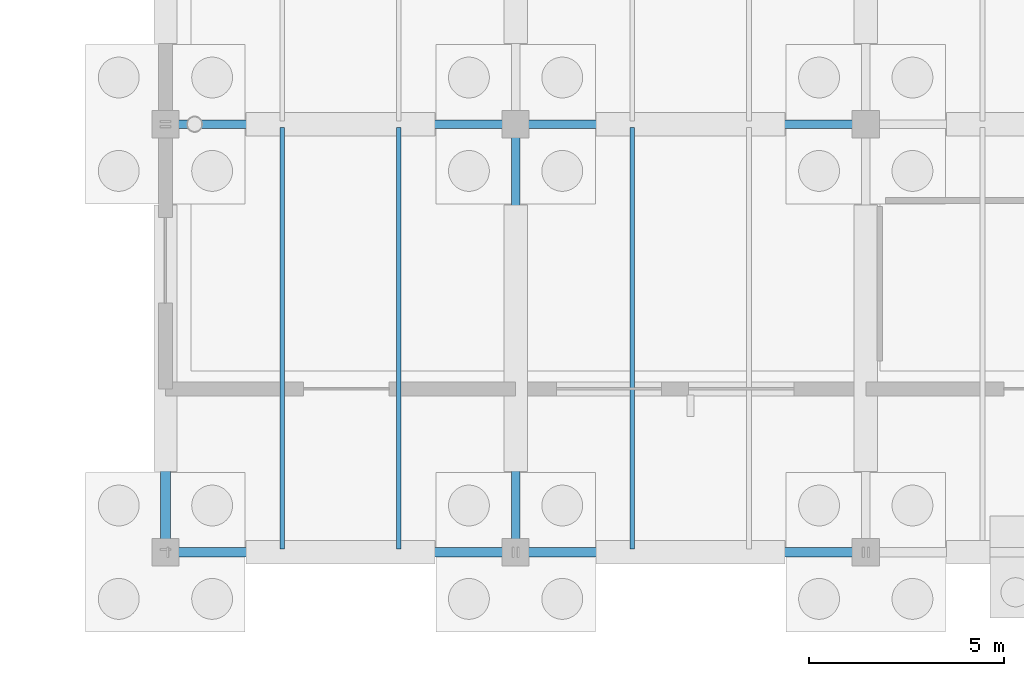
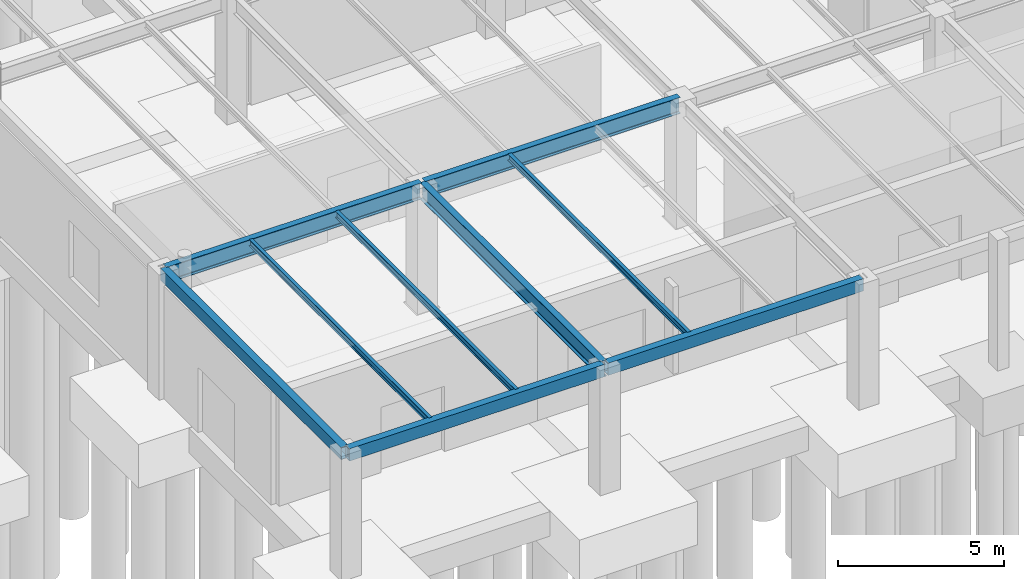
# One storey, part 78 of 160: 9 beams.
"""IFC4 building model written with IfcOpenShell, lengths in metres."""

import ifcopenshell
import ifcopenshell.guid

model = None  # the IFC model being written
_history = None  # IfcOwnerHistory: only IFC2X3 demands one
_inside = {}  # id of a spatial element -> (the spatial element, [elements in it])
_under = {}  # id of a project, library or spatial element -> (it, [spatial elements below it])
_declared = {}  # id of a project -> (the project, [libraries it declares])
_typed = {}  # id of a type object -> (the type object, [elements of that type])
_made_of = {}  # id of a material, layer set ... -> (it, [elements and type objects made of it])


def new_model(schema):
    """Start an empty IFC model of exactly this schema.

    Asked for "IFC4X3", IfcOpenShell would pick the latest addendum, in which some entities
    have other attributes; the version numbers below select the first issue.
    IFC2X3 requires an IfcOwnerHistory on every rooted entity: one is made here for all.
    """
    global model, _history
    if schema == "IFC4X3":
        model = ifcopenshell.file(schema_version=(4, 3, 0, 0))
    else:
        model = ifcopenshell.file(schema=schema)
    _inside.clear()
    _under.clear()
    _declared.clear()
    _typed.clear()
    _made_of.clear()
    _history = None
    if model.schema == "IFC2X3":
        org = make("IfcOrganization", Name="unknown")
        user = make(
            "IfcPersonAndOrganization",
            ThePerson=make("IfcPerson", FamilyName="unknown"),
            TheOrganization=org,
        )
        app = make(
            "IfcApplication",
            ApplicationDeveloper=org,
            Version="unknown",
            ApplicationFullName="unknown",
            ApplicationIdentifier="unknown",
        )
        _history = make(
            "IfcOwnerHistory",
            OwningUser=user,
            OwningApplication=app,
            ChangeAction="ADDED",
            CreationDate=0,
        )
    return model


def make(cls, **values):
    """One entity of the class cls with the attributes given. An attribute that is None is left unset."""
    return model.create_entity(
        cls, **{name: value for name, value in values.items() if value is not None}
    )


def rooted(cls, **values):
    """An entity with a GlobalId (a new one), such as an element, a storey or a relation."""
    return make(cls, GlobalId=ifcopenshell.guid.new(), OwnerHistory=_history, **values)


def si_unit(unit_type, name, prefix=None):
    """IfcSIUnit, for example si_unit("LENGTHUNIT", "METRE", prefix="MILLI")."""
    return make("IfcSIUnit", UnitType=unit_type, Prefix=prefix, Name=name)


def assignment(units):
    """IfcUnitAssignment: the units of a project."""
    return None if units is None else make("IfcUnitAssignment", Units=units)


def point(xyz):
    """IfcCartesianPoint."""
    return None if xyz is None else make("IfcCartesianPoint", Coordinates=xyz)


def direction(xyz):
    """IfcDirection."""
    return None if xyz is None else make("IfcDirection", DirectionRatios=xyz)


def frame(location, z_axis=None, x_axis=None):
    """IfcAxis2Placement3D, a coordinate frame: its origin and axes. An axis left out is left unset."""
    return make(
        "IfcAxis2Placement3D",
        Location=point(location),
        Axis=direction(z_axis),
        RefDirection=direction(x_axis),
    )


def frame_2d(location, x_axis=None):
    """IfcAxis2Placement2D, a coordinate frame in the plane: its origin and x axis."""
    return make(
        "IfcAxis2Placement2D", Location=point(location), RefDirection=direction(x_axis)
    )


def origin():
    """The frame at (0, 0, 0) with its axes left unset."""
    return frame((0.0, 0.0, 0.0))


def origin_2d():
    """The frame at (0, 0) in the plane with its x axis left unset."""
    return frame_2d((0.0, 0.0))


def place(relative_to, where):
    """IfcLocalPlacement: puts the frame where relative to a parent placement (None: the world)."""
    return make(
        "IfcLocalPlacement", PlacementRelTo=relative_to, RelativePlacement=where
    )


def context(
    kind, dimensions, precision=None, world=None, true_north=None, identifier=None
):
    """IfcGeometricRepresentationContext, for example the 3D "Model" context."""
    return make(
        "IfcGeometricRepresentationContext",
        ContextIdentifier=identifier,
        ContextType=kind,
        CoordinateSpaceDimension=dimensions,
        Precision=precision,
        WorldCoordinateSystem=world,
        TrueNorth=true_north,
    )


def subcontext(parent, identifier, kind, view, scale=None):
    """IfcGeometricRepresentationSubContext, for example "Body" below "Model"."""
    return make(
        "IfcGeometricRepresentationSubContext",
        ContextIdentifier=identifier,
        ContextType=kind,
        ParentContext=parent,
        TargetScale=scale,
        TargetView=view,
    )


def project(units=None, contexts=None):
    """IfcProject with its units and contexts."""
    return rooted(
        "IfcProject",
        Name="project",
        RepresentationContexts=contexts,
        UnitsInContext=assignment(units),
    )


def spatial(cls, under=None, at=None, **own):
    """A site, building, storey or space (cls), placed at a placement, below another one or the project."""
    s = rooted(cls, ObjectPlacement=at, **own)
    if under is not None:
        _under.setdefault(under.id(), (under, []))[1].append(s)
    return s


def profile(cls, at=None, kind="AREA", **sizes):
    """A parametric profile (cls). Its sizes go by their IFC names, for example OverallWidth=200.0."""
    return make(cls, ProfileType=kind, Position=at, **sizes)


def hollow_rectangle(**sizes):
    """IfcRectangleHollowProfileDef."""
    return profile("IfcRectangleHollowProfileDef", **sizes)


def i_section(**sizes):
    """IfcIShapeProfileDef."""
    return profile("IfcIShapeProfileDef", **sizes)


def extrude(swept, where, along, depth):
    """IfcExtrudedAreaSolid: the profile swept, set in the frame where, extruded along a direction by depth."""
    return make(
        "IfcExtrudedAreaSolid",
        SweptArea=swept,
        Position=where,
        ExtrudedDirection=direction(along),
        Depth=depth,
    )


def shape(context_of_items, identifier, shape_type, items):
    """IfcShapeRepresentation: the items that make up one representation, for example the "Body"."""
    return make(
        "IfcShapeRepresentation",
        ContextOfItems=context_of_items,
        RepresentationIdentifier=identifier,
        RepresentationType=shape_type,
        Items=items,
    )


def material(Name=None, Category=None):
    """IfcMaterial."""
    return make("IfcMaterial", Name=Name, Category=Category)


def material_profile(
    of_material, cross_section, Name=None, Category=None, Priority=None
):
    """IfcMaterialProfile: a cross section and its material."""
    return make(
        "IfcMaterialProfile",
        Name=Name,
        Material=of_material,
        Profile=cross_section,
        Priority=Priority,
        Category=Category,
    )


def profile_set(profiles, Name=None, composite=None):
    """IfcMaterialProfileSet."""
    return make(
        "IfcMaterialProfileSet",
        Name=Name,
        MaterialProfiles=profiles,
        CompositeProfile=composite,
    )


def made_of(thing, what):
    """Note that an element or type object is made of a material, layer set ...; save() writes the relation."""
    if what is not None:
        _made_of.setdefault(what.id(), (what, []))[1].append(thing)
    return thing


def type_object(cls, material=None, **own):
    """A type object (cls), such as IfcWallType, which elements share."""
    return made_of(rooted(cls, **own), material)


def element(
    cls,
    number,
    at=None,
    inside=None,
    cuts=None,
    type_object=None,
    material=None,
    context=None,
    identifier="Body",
    shape_type=None,
    held_by="IfcProductDefinitionShape",
    body=None,
    shapes=None,
    **own,
):
    """One element of the class cls, such as IfcWall. Its Tag is "e" and its number.

    at: its placement. inside: the storey or other place that contains it. cuts: it is an
    opening in that element (IfcRelVoidsElement). A single representation is given by context,
    identifier, shape_type and body (its items); several are given by shapes. held_by: the class
    of the entity that holds the representations. save() writes the other relations.
    """
    e = rooted(cls, Tag="e%d" % number, ObjectPlacement=at, **own)
    if body is not None:
        shapes = [shape(context, identifier, shape_type, body)]
    if shapes is not None:
        e.Representation = make(held_by, Representations=shapes)
    if inside is not None:
        _inside.setdefault(inside.id(), (inside, []))[1].append(e)
    if cuts is not None:
        rooted(
            "IfcRelVoidsElement", RelatingBuildingElement=cuts, RelatedOpeningElement=e
        )
    if type_object is not None:
        _typed.setdefault(type_object.id(), (type_object, []))[1].append(e)
    return made_of(e, material)


def aggregate(whole, parts):
    """IfcRelAggregates: a whole, such as a stair, and the parts it consists of."""
    return rooted("IfcRelAggregates", RelatingObject=whole, RelatedObjects=parts)


def save(model, path):
    """Write the relations noted so far, then the file.

    IfcRelAggregates (storeys below a building ...), IfcRelContainedInSpatialStructure (elements
    in a storey), IfcRelDefinesByType, IfcRelAssociatesMaterial and IfcRelDeclares: one each for
    every whole, place, type object, material and project.
    """
    for whole, parts in _under.values():
        aggregate(whole, parts)
    for where, things in _inside.values():
        rooted(
            "IfcRelContainedInSpatialStructure",
            RelatedElements=things,
            RelatingStructure=where,
        )
    for kind, things in _typed.values():
        rooted("IfcRelDefinesByType", RelatedObjects=things, RelatingType=kind)
    for what, things in _made_of.values():
        rooted("IfcRelAssociatesMaterial", RelatedObjects=things, RelatingMaterial=what)
    for by, libraries in _declared.values():
        rooted("IfcRelDeclares", RelatingContext=by, RelatedDefinitions=libraries)
    model.write(path)


model = new_model("IFC4")

# Units and contexts
model_context = context("Model", 3, precision=1e-05, world=origin(), true_north=direction((0.0, 1.0)))
body_context = subcontext(model_context, "Body", "Model", "MODEL_VIEW")
ifc_project = project(units=[si_unit("LENGTHUNIT", "METRE"), si_unit("AREAUNIT", "SQUARE_METRE"), si_unit("VOLUMEUNIT", "CUBIC_METRE"), si_unit("PLANEANGLEUNIT", "RADIAN"), si_unit("MASSUNIT", "GRAM", prefix="KILO")], contexts=[model_context])

# Site, building, storey
site_placement = place(None, origin())
site = spatial("IfcSite", under=ifc_project, at=site_placement, CompositionType="ELEMENT")
building_placement = place(site_placement, origin())
building = spatial("IfcBuilding", under=site, at=building_placement, Name="Marlcrest Central Station", CompositionType="ELEMENT")
storey_placement = place(building_placement, origin())
storey = spatial("IfcBuildingStorey", under=building, at=storey_placement, Name="L00", CompositionType="ELEMENT", Elevation=0.0)

# Beams
ifc_material = material(Name="Steel S355", Category="steel")
ifc_material_profile_1 = material_profile(ifc_material, i_section(OverallWidth=0.219970703125, OverallDepth=0.60009765625, WebThickness=0.011962890625, FlangeThickness=0.01904296875, FilletRadius=0.02392578125, at=origin_2d()), Name="IPE 600")
ifc_profile_set_1 = profile_set([ifc_material_profile_1], Name="Steel S355")
beam_type_1 = type_object("IfcBeamType", Name="BM-07", PredefinedType="BEAM", material=ifc_profile_set_1)
for number, where, z_axis, x_axis, name in (
    (1, (144.06005859375, 11.0, 4.304931640625), (1.0, 0.0, 0.0), (0.0, 1.0, 0.0), "bm-BM-07-L00-00758"),
    (2, (153.06005859375, 11.0, 4.304931640625), (1.0, 0.0, 0.0), (0.0, 1.0, 0.0), "bm-BM-07-L00-00759"),
):
    element("IfcBeam", number, at=place(storey_placement, frame(where, z_axis=z_axis, x_axis=x_axis)), inside=storey, type_object=beam_type_1, Name=name, PredefinedType="BEAM", context=body_context, shape_type="SweptSolid", body=[
        extrude(i_section(OverallWidth=0.219970703125, OverallDepth=0.60009765625, WebThickness=0.011962890625, FlangeThickness=0.01904296875, FilletRadius=0.02392578125, at=origin_2d()), origin(), (0.0, 0.0, 1.0), 8.8798828125),
    ])
beam_1_placement = place(storey_placement, frame((153.0, 0.06005859375, 4.304931640625), z_axis=(0.0, 1.0, 0.0), x_axis=(-1.0, 0.0, 0.0)))
element("IfcBeam", 3, at=beam_1_placement, inside=storey, type_object=beam_type_1, Name="bm-BM-07-L00-00785", PredefinedType="BEAM", context=body_context, shape_type="SweptSolid", body=[
    extrude(i_section(OverallWidth=0.219970703125, OverallDepth=0.60009765625, WebThickness=0.011962890625, FlangeThickness=0.01904296875, FilletRadius=0.02392578125, at=origin_2d()), origin(), (0.0, 0.0, 1.0), 10.8798828125),
])
ifc_material_profile_2 = material_profile(ifc_material, i_section(OverallWidth=0.1201171875, OverallDepth=0.239990234375, WebThickness=0.006103515625, FlangeThickness=0.009765625, FilletRadius=0.014892578125, at=origin_2d()), Name="IPE 240")
ifc_profile_set_2 = profile_set([ifc_material_profile_2], Name="Steel S355")
beam_type_2 = type_object("IfcBeamType", Name="JS-03", PredefinedType="JOIST", material=ifc_profile_set_2)
for number, where, z_axis, x_axis, name in (
    (4, (147.0, 0.0830078125, 4.485107421875), (0.0, 1.0, 0.0), (-1.0, 0.0, 0.0), "bm-JS-03-L00-00809"),
    (5, (150.0, 0.0830078125, 4.485107421875), (0.0, 1.0, 0.0), (-1.0, 0.0, 0.0), "bm-JS-03-L00-00812"),
    (6, (156.0, 0.0830078125, 4.485107421875), (0.0, 1.0, 0.0), (-1.0, 0.0, 0.0), "bm-JS-03-L00-00815"),
):
    element("IfcBeam", number, at=place(storey_placement, frame(where, z_axis=z_axis, x_axis=x_axis)), inside=storey, type_object=beam_type_2, Name=name, PredefinedType="JOIST", context=body_context, shape_type="SweptSolid", body=[
        extrude(i_section(OverallWidth=0.1201171875, OverallDepth=0.239990234375, WebThickness=0.006103515625, FlangeThickness=0.009765625, FilletRadius=0.014892578125, at=origin_2d()), origin(), (0.0, 0.0, 1.0), 10.833984375),
    ])
ifc_material_profile_3 = material_profile(ifc_material, hollow_rectangle(XDim=0.25, YDim=0.449951171875, WallThickness=0.01611328125, at=origin_2d()), Name="RHS 450x250x16")
ifc_profile_set_3 = profile_set([ifc_material_profile_3], Name="Steel S355")
beam_type_3 = type_object("IfcBeamType", Name="SP-02", PredefinedType="SPANDREL", material=ifc_profile_set_3)
for number, where, z_axis, x_axis, name in (
    (7, (144.06005859375, 0.0, 4.3798828125), (1.0, 0.0, 0.0), (0.0, 1.0, 0.0), "bm-SP-02-L00-00750"),
    (8, (153.06005859375, 0.0, 4.3798828125), (1.0, 0.0, 0.0), (0.0, 1.0, 0.0), "bm-SP-02-L00-00751"),
):
    element("IfcBeam", number, at=place(storey_placement, frame(where, z_axis=z_axis, x_axis=x_axis)), inside=storey, type_object=beam_type_3, Name=name, PredefinedType="SPANDREL", context=body_context, shape_type="SweptSolid", body=[
        extrude(hollow_rectangle(XDim=0.25, YDim=0.449951171875, WallThickness=0.01611328125, at=origin_2d()), origin(), (0.0, 0.0, 1.0), 8.8798828125),
    ])
beam_2_placement = place(storey_placement, frame((144.0, 0.06005859375, 4.3798828125), z_axis=(0.0, 1.0, 0.0), x_axis=(-1.0, 0.0, 0.0)))
element("IfcBeam", 9, at=beam_2_placement, inside=storey, type_object=beam_type_3, Name="bm-SP-02-L00-00782", PredefinedType="SPANDREL", context=body_context, shape_type="SweptSolid", body=[
    extrude(hollow_rectangle(XDim=0.25, YDim=0.449951171875, WallThickness=0.01611328125, at=origin_2d()), origin(), (0.0, 0.0, 1.0), 10.8798828125),
])

save(model, "model.ifc")
